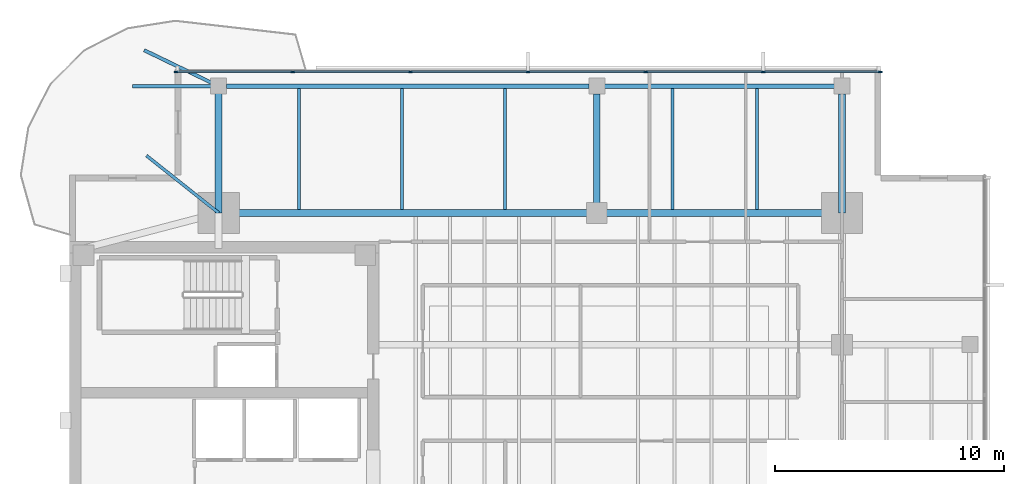
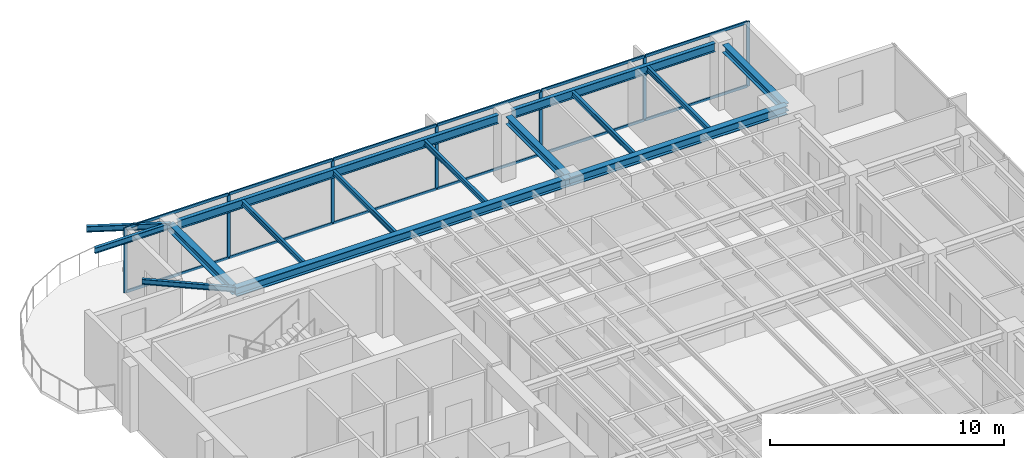
# One storey, part 5 of 14: 19 members, 15 beams, 1 element without a shape of its own.
"""IFC4 building model written with IfcOpenShell, lengths in metres."""

from ifc_helpers import new_model, si_unit, direction, frame, origin, origin_2d, place, context, subcontext, project, spatial, rectangle, i_section, extrude, material, layer, layer_set, material_profile, profile_set, type_object, element, aggregate, save


model = new_model("IFC4")

# Units and contexts
model_context = context("Model", 3, precision=1e-05, world=origin(), true_north=direction((0.0, 1.0)))
body_context = subcontext(model_context, "Body", "Model", "MODEL_VIEW")
ifc_project = project(units=[si_unit("LENGTHUNIT", "METRE"), si_unit("AREAUNIT", "SQUARE_METRE"), si_unit("VOLUMEUNIT", "CUBIC_METRE"), si_unit("PLANEANGLEUNIT", "RADIAN"), si_unit("MASSUNIT", "GRAM", prefix="KILO")], contexts=[model_context])

# Site, building, storey
site_placement = place(None, origin())
site = spatial("IfcSite", under=ifc_project, at=site_placement, CompositionType="ELEMENT")
building_placement = place(site_placement, origin())
building = spatial("IfcBuilding", under=site, at=building_placement, Name="Kinhvarn Gate Tower", CompositionType="ELEMENT")
storey_placement = place(building_placement, frame((0.0, 0.0, 284.75)))
storey = spatial("IfcBuildingStorey", under=building, at=storey_placement, Name="L76", CompositionType="ELEMENT", Elevation=284.75)

# Curtain wall, members
ifc_material_1 = material(Name="Anodised aluminium AW-6063", Category="aluminium")
ifc_layer = layer(ifc_material_1, 0.179931640625)
ifc_layer_set = layer_set([ifc_layer], Name="Anodised aluminium AW-6063")
curtain_wall_type = type_object("IfcCurtainWallType", Name="CW-SYS-3", PredefinedType="NOTDEFINED", material=ifc_layer_set)
curtain_wall_placement = place(storey_placement, origin())
curtain_wall = element("IfcCurtainWall", 1, at=curtain_wall_placement, inside=storey, type_object=curtain_wall_type, Name="Curtain Wall CW3 (L76)", PredefinedType="NOTDEFINED")
ifc_material_profile_1 = material_profile(ifc_material_1, rectangle(XDim=0.06494140625, YDim=0.159912109375, at=origin_2d()), Name="ALU 65x160")
ifc_profile_set_1 = profile_set([ifc_material_profile_1], Name="Anodised aluminium AW-6063")
member_type_1 = type_object("IfcMemberType", Name="CW-MUL-160", PredefinedType="MULLION", material=ifc_profile_set_1)
member_1_placement = place(storey_placement, frame((39.867431640625, 43.909912109375, 0.0), z_axis=(0.0, 0.0, 1.0), x_axis=(0.0, -1.0, 0.0)))
member_1 = element("IfcMember", 2, at=member_1_placement, type_object=member_type_1, Name="CW3 mullion 1", PredefinedType="MULLION", context=body_context, shape_type="SweptSolid", body=[
    extrude(rectangle(XDim=0.06494140625, YDim=0.159912109375, at=origin_2d()), origin(), (0.0, 0.0, 1.0), 3.389892578125),
])
member_2_placement = place(storey_placement, frame((34.7666015625, 43.909912109375, 0.0), z_axis=(0.0, 0.0, 1.0), x_axis=(0.0, -1.0, 0.0)))
member_2 = element("IfcMember", 3, at=member_2_placement, type_object=member_type_1, Name="CW3 mullion 2", PredefinedType="MULLION", context=body_context, shape_type="SweptSolid", body=[
    extrude(rectangle(XDim=0.06494140625, YDim=0.159912109375, at=origin_2d()), origin(), (0.0, 0.0, 1.0), 3.389892578125),
])
member_3_placement = place(storey_placement, frame((29.63330078125, 43.909912109375, 0.0), z_axis=(0.0, 0.0, 1.0), x_axis=(0.0, -1.0, 0.0)))
member_3 = element("IfcMember", 4, at=member_3_placement, type_object=member_type_1, Name="CW3 mullion 3", PredefinedType="MULLION", context=body_context, shape_type="SweptSolid", body=[
    extrude(rectangle(XDim=0.06494140625, YDim=0.159912109375, at=origin_2d()), origin(), (0.0, 0.0, 1.0), 3.389892578125),
])
member_4_placement = place(storey_placement, frame((24.5, 43.909912109375, 0.0), z_axis=(0.0, 0.0, 1.0), x_axis=(0.0, -1.0, 0.0)))
member_4 = element("IfcMember", 5, at=member_4_placement, type_object=member_type_1, Name="CW3 mullion 4", PredefinedType="MULLION", context=body_context, shape_type="SweptSolid", body=[
    extrude(rectangle(XDim=0.06494140625, YDim=0.159912109375, at=origin_2d()), origin(), (0.0, 0.0, 1.0), 3.389892578125),
])
member_5_placement = place(storey_placement, frame((19.36669921875, 43.909912109375, 0.0), z_axis=(0.0, 0.0, 1.0), x_axis=(0.0, -1.0, 0.0)))
member_5 = element("IfcMember", 6, at=member_5_placement, type_object=member_type_1, Name="CW3 mullion 5", PredefinedType="MULLION", context=body_context, shape_type="SweptSolid", body=[
    extrude(rectangle(XDim=0.06494140625, YDim=0.159912109375, at=origin_2d()), origin(), (0.0, 0.0, 1.0), 3.389892578125),
])
member_6_placement = place(storey_placement, frame((14.2333984375, 43.909912109375, 0.0), z_axis=(0.0, 0.0, 1.0), x_axis=(0.0, -1.0, 0.0)))
member_6 = element("IfcMember", 7, at=member_6_placement, type_object=member_type_1, Name="CW3 mullion 6", PredefinedType="MULLION", context=body_context, shape_type="SweptSolid", body=[
    extrude(rectangle(XDim=0.06494140625, YDim=0.159912109375, at=origin_2d()), origin(), (0.0, 0.0, 1.0), 3.389892578125),
])
member_7_placement = place(storey_placement, frame((9.132568359375, 43.909912109375, 0.0), z_axis=(0.0, 0.0, 1.0), x_axis=(0.0, -1.0, 0.0)))
member_7 = element("IfcMember", 8, at=member_7_placement, type_object=member_type_1, Name="CW3 mullion 7", PredefinedType="MULLION", context=body_context, shape_type="SweptSolid", body=[
    extrude(rectangle(XDim=0.06494140625, YDim=0.159912109375, at=origin_2d()), origin(), (0.0, 0.0, 1.0), 3.389892578125),
])
ifc_material_profile_2 = material_profile(ifc_material_1, rectangle(XDim=0.070068359375, YDim=0.139892578125, at=origin_2d()), Name="ALU 70x140")
ifc_profile_set_2 = profile_set([ifc_material_profile_2], Name="Anodised aluminium AW-6063")
member_type_2 = type_object("IfcMemberType", Name="CW-TRN-140", PredefinedType="USERDEFINED", material=ifc_profile_set_2)
member_8_placement = place(storey_placement, frame((39.8349609375, 43.909912109375, 0.034912109375), z_axis=(-1.0, 0.0, 0.0), x_axis=(0.0, -1.0, 0.0)))
member_8 = element("IfcMember", 9, at=member_8_placement, type_object=member_type_2, Name="CW3 transom 1.1", ObjectType="TRANSOM", PredefinedType="USERDEFINED", context=body_context, shape_type="SweptSolid", body=[
    extrude(rectangle(XDim=0.070068359375, YDim=0.139892578125, at=origin_2d()), origin(), (0.0, 0.0, 1.0), 5.035888671875),
])
member_9_placement = place(storey_placement, frame((39.8349609375, 43.909912109375, 3.35498046875), z_axis=(-1.0, 0.0, 0.0), x_axis=(0.0, -1.0, 0.0)))
member_9 = element("IfcMember", 10, at=member_9_placement, type_object=member_type_2, Name="CW3 transom 1.2", ObjectType="TRANSOM", PredefinedType="USERDEFINED", context=body_context, shape_type="SweptSolid", body=[
    extrude(rectangle(XDim=0.070068359375, YDim=0.139892578125, at=origin_2d()), origin(), (0.0, 0.0, 1.0), 5.035888671875),
])
member_10_placement = place(storey_placement, frame((34.734130859375, 43.909912109375, 0.034912109375), z_axis=(-1.0, 0.0, 0.0), x_axis=(0.0, -1.0, 0.0)))
member_10 = element("IfcMember", 11, at=member_10_placement, type_object=member_type_2, Name="CW3 transom 2.1", ObjectType="TRANSOM", PredefinedType="USERDEFINED", context=body_context, shape_type="SweptSolid", body=[
    extrude(rectangle(XDim=0.070068359375, YDim=0.139892578125, at=origin_2d()), origin(), (0.0, 0.0, 1.0), 5.068359375),
])
member_11_placement = place(storey_placement, frame((34.734130859375, 43.909912109375, 3.35498046875), z_axis=(-1.0, 0.0, 0.0), x_axis=(0.0, -1.0, 0.0)))
member_11 = element("IfcMember", 12, at=member_11_placement, type_object=member_type_2, Name="CW3 transom 2.2", ObjectType="TRANSOM", PredefinedType="USERDEFINED", context=body_context, shape_type="SweptSolid", body=[
    extrude(rectangle(XDim=0.070068359375, YDim=0.139892578125, at=origin_2d()), origin(), (0.0, 0.0, 1.0), 5.068359375),
])
member_12_placement = place(storey_placement, frame((29.600830078125, 43.909912109375, 0.034912109375), z_axis=(-1.0, 0.0, 0.0), x_axis=(0.0, -1.0, 0.0)))
member_12 = element("IfcMember", 13, at=member_12_placement, type_object=member_type_2, Name="CW3 transom 3.1", ObjectType="TRANSOM", PredefinedType="USERDEFINED", context=body_context, shape_type="SweptSolid", body=[
    extrude(rectangle(XDim=0.070068359375, YDim=0.139892578125, at=origin_2d()), origin(), (0.0, 0.0, 1.0), 5.068359375),
])
member_13_placement = place(storey_placement, frame((29.600830078125, 43.909912109375, 3.35498046875), z_axis=(-1.0, 0.0, 0.0), x_axis=(0.0, -1.0, 0.0)))
member_13 = element("IfcMember", 14, at=member_13_placement, type_object=member_type_2, Name="CW3 transom 3.2", ObjectType="TRANSOM", PredefinedType="USERDEFINED", context=body_context, shape_type="SweptSolid", body=[
    extrude(rectangle(XDim=0.070068359375, YDim=0.139892578125, at=origin_2d()), origin(), (0.0, 0.0, 1.0), 5.068359375),
])
member_14_placement = place(storey_placement, frame((24.467529296875, 43.909912109375, 0.034912109375), z_axis=(-1.0, 0.0, 0.0), x_axis=(0.0, -1.0, 0.0)))
member_14 = element("IfcMember", 15, at=member_14_placement, type_object=member_type_2, Name="CW3 transom 4.1", ObjectType="TRANSOM", PredefinedType="USERDEFINED", context=body_context, shape_type="SweptSolid", body=[
    extrude(rectangle(XDim=0.070068359375, YDim=0.139892578125, at=origin_2d()), origin(), (0.0, 0.0, 1.0), 5.068359375),
])
member_15_placement = place(storey_placement, frame((24.467529296875, 43.909912109375, 3.35498046875), z_axis=(-1.0, 0.0, 0.0), x_axis=(0.0, -1.0, 0.0)))
member_15 = element("IfcMember", 16, at=member_15_placement, type_object=member_type_2, Name="CW3 transom 4.2", ObjectType="TRANSOM", PredefinedType="USERDEFINED", context=body_context, shape_type="SweptSolid", body=[
    extrude(rectangle(XDim=0.070068359375, YDim=0.139892578125, at=origin_2d()), origin(), (0.0, 0.0, 1.0), 5.068359375),
])
member_16_placement = place(storey_placement, frame((19.334228515625, 43.909912109375, 0.034912109375), z_axis=(-1.0, 0.0, 0.0), x_axis=(0.0, -1.0, 0.0)))
member_16 = element("IfcMember", 17, at=member_16_placement, type_object=member_type_2, Name="CW3 transom 5.1", ObjectType="TRANSOM", PredefinedType="USERDEFINED", context=body_context, shape_type="SweptSolid", body=[
    extrude(rectangle(XDim=0.070068359375, YDim=0.139892578125, at=origin_2d()), origin(), (0.0, 0.0, 1.0), 5.068359375),
])
member_17_placement = place(storey_placement, frame((19.334228515625, 43.909912109375, 3.35498046875), z_axis=(-1.0, 0.0, 0.0), x_axis=(0.0, -1.0, 0.0)))
member_17 = element("IfcMember", 18, at=member_17_placement, type_object=member_type_2, Name="CW3 transom 5.2", ObjectType="TRANSOM", PredefinedType="USERDEFINED", context=body_context, shape_type="SweptSolid", body=[
    extrude(rectangle(XDim=0.070068359375, YDim=0.139892578125, at=origin_2d()), origin(), (0.0, 0.0, 1.0), 5.068359375),
])
member_18_placement = place(storey_placement, frame((14.200927734375, 43.909912109375, 0.034912109375), z_axis=(-1.0, 0.0, 0.0), x_axis=(0.0, -1.0, 0.0)))
member_18 = element("IfcMember", 19, at=member_18_placement, type_object=member_type_2, Name="CW3 transom 6.1", ObjectType="TRANSOM", PredefinedType="USERDEFINED", context=body_context, shape_type="SweptSolid", body=[
    extrude(rectangle(XDim=0.070068359375, YDim=0.139892578125, at=origin_2d()), origin(), (0.0, 0.0, 1.0), 5.035888671875),
])
member_19_placement = place(storey_placement, frame((14.200927734375, 43.909912109375, 3.35498046875), z_axis=(-1.0, 0.0, 0.0), x_axis=(0.0, -1.0, 0.0)))
member_19 = element("IfcMember", 20, at=member_19_placement, type_object=member_type_2, Name="CW3 transom 6.2", ObjectType="TRANSOM", PredefinedType="USERDEFINED", context=body_context, shape_type="SweptSolid", body=[
    extrude(rectangle(XDim=0.070068359375, YDim=0.139892578125, at=origin_2d()), origin(), (0.0, 0.0, 1.0), 5.035888671875),
])
aggregate(curtain_wall, [member_1, member_2, member_3, member_4, member_5, member_6, member_7, member_8, member_9, member_10, member_11, member_12, member_13, member_14, member_15, member_16, member_17, member_18, member_19])

# Beams
ifc_material_2 = material(Name="Steel S355", Category="steel")
ifc_material_profile_3 = material_profile(ifc_material_2, i_section(OverallWidth=0.300048828125, OverallDepth=0.39990234375, WebThickness=0.013427734375, FlangeThickness=0.02392578125, at=origin_2d()), Name="HEB 400")
ifc_profile_set_3 = profile_set([ifc_material_profile_3], Name="Steel S355")
beam_type_1 = type_object("IfcBeamType", Name="STL-HEB400", PredefinedType="BEAM", material=ifc_profile_set_3)
beam_1_placement = place(storey_placement, frame((11.0, 37.75, 3.18994140625), z_axis=(0.0, 1.0, 0.0), x_axis=(-1.0, 0.0, 0.0)))
element("IfcBeam", 21, at=beam_1_placement, inside=storey, type_object=beam_type_1, Name="Floor Beam PG-12 (L76 MCW-N)", PredefinedType="BEAM", context=body_context, shape_type="SweptSolid", body=[
    extrude(i_section(OverallWidth=0.300048828125, OverallDepth=0.39990234375, WebThickness=0.013427734375, FlangeThickness=0.02392578125, at=origin_2d()), origin(), (0.0, 0.0, 1.0), 5.530029296875),
])
for number, where, z_axis, x_axis, name in (
    (22, (27.5, 37.75, 3.18994140625), (0.0, 1.0, 0.0), (-1.0, 0.0, 0.0), "Floor Beam PG-12 (L76 SP27-N-TIE)"),
    (23, (38.199951171875, 37.75, 3.18994140625), (0.0, 1.0, 0.0), (-1.0, 0.0, 0.0), "Floor Beam PG-12 (L76 MCE-N)"),
):
    element("IfcBeam", number, at=place(storey_placement, frame(where, z_axis=z_axis, x_axis=x_axis)), inside=storey, type_object=beam_type_1, Name=name, PredefinedType="BEAM", context=body_context, shape_type="SweptSolid", body=[
        extrude(i_section(OverallWidth=0.300048828125, OverallDepth=0.39990234375, WebThickness=0.013427734375, FlangeThickness=0.02392578125, at=origin_2d()), origin(), (0.0, 0.0, 1.0), 5.195068359375),
    ])
ifc_material_profile_4 = material_profile(ifc_material_2, i_section(OverallWidth=0.300048828125, OverallDepth=0.449951171875, WebThickness=0.013916015625, FlangeThickness=0.02587890625, at=origin_2d()), Name="HEB 450")
ifc_profile_set_4 = profile_set([ifc_material_profile_4], Name="Steel S355")
beam_type_2 = type_object("IfcBeamType", Name="STL-HEB450", PredefinedType="BEAM", material=ifc_profile_set_4)
beam_2_placement = place(storey_placement, frame((11.0, 37.75, 3.1650390625), z_axis=(1.0, 0.0, 0.0), x_axis=(0.0, 1.0, 0.0)))
element("IfcBeam", 24, at=beam_2_placement, inside=storey, type_object=beam_type_2, Name="Floor Beam PG-13 (L76 MG-N1)", PredefinedType="BEAM", context=body_context, shape_type="SweptSolid", body=[
    extrude(i_section(OverallWidth=0.300048828125, OverallDepth=0.449951171875, WebThickness=0.013916015625, FlangeThickness=0.02587890625, at=origin_2d()), origin(), (0.0, 0.0, 1.0), 16.5),
])
beam_3_placement = place(storey_placement, frame((27.5, 37.75, 3.1650390625), z_axis=(1.0, 0.0, 0.0), x_axis=(0.0, 1.0, 0.0)))
element("IfcBeam", 25, at=beam_3_placement, inside=storey, type_object=beam_type_2, Name="Floor Beam PG-13 (L76 MG-N2)", PredefinedType="BEAM", context=body_context, shape_type="SweptSolid", body=[
    extrude(i_section(OverallWidth=0.300048828125, OverallDepth=0.449951171875, WebThickness=0.013916015625, FlangeThickness=0.02587890625, at=origin_2d()), origin(), (0.0, 0.0, 1.0), 10.699951171875),
])
ifc_material_profile_5 = material_profile(ifc_material_2, i_section(OverallWidth=0.135009765625, OverallDepth=0.27001953125, WebThickness=0.006591796875, FlangeThickness=0.01025390625, at=origin_2d()), Name="IPE 270")
ifc_profile_set_5 = profile_set([ifc_material_profile_5], Name="Steel S355")
beam_type_3 = type_object("IfcBeamType", Name="STL-IPE270", PredefinedType="JOIST", material=ifc_profile_set_5)
for number, where, z_axis, x_axis, name in (
    (26, (14.5, 37.89990234375, 3.2548828125), (0.0, 1.0, 0.0), (-1.0, 0.0, 0.0), "Floor Joist SB-01 (L76 JN-X145)"),
    (27, (19.0, 37.89990234375, 3.2548828125), (0.0, 1.0, 0.0), (-1.0, 0.0, 0.0), "Floor Joist SB-01 (L76 JN-X190)"),
    (28, (23.5, 37.89990234375, 3.2548828125), (0.0, 1.0, 0.0), (-1.0, 0.0, 0.0), "Floor Joist SB-01 (L76 JN-X235)"),
    (29, (30.800048828125, 37.89990234375, 3.2548828125), (0.0, 1.0, 0.0), (-1.0, 0.0, 0.0), "Floor Joist SB-01 (L76 JN-X308)"),
    (30, (34.5, 37.89990234375, 3.2548828125), (0.0, 1.0, 0.0), (-1.0, 0.0, 0.0), "Floor Joist SB-01 (L76 JN-X345)"),
):
    element("IfcBeam", number, at=place(storey_placement, frame(where, z_axis=z_axis, x_axis=x_axis)), inside=storey, type_object=beam_type_3, Name=name, PredefinedType="JOIST", context=body_context, shape_type="SweptSolid", body=[
        extrude(i_section(OverallWidth=0.135009765625, OverallDepth=0.27001953125, WebThickness=0.006591796875, FlangeThickness=0.01025390625, at=origin_2d()), origin(), (0.0, 0.0, 1.0), 5.28515625),
    ])
beam_4_placement = place(storey_placement, frame((11.0, 37.75, 3.2548828125), z_axis=(-0.783279518214, 0.621669684275, 0.0), x_axis=(-0.621669684275, -0.783279518214, 0.0)))
element("IfcBeam", 31, at=beam_4_placement, inside=storey, type_object=beam_type_3, Name="Floor Joist SB-01 (L76 BAL-B3-L77)", PredefinedType="JOIST", context=body_context, shape_type="SweptSolid", body=[
    extrude(i_section(OverallWidth=0.135009765625, OverallDepth=0.27001953125, WebThickness=0.006591796875, FlangeThickness=0.01025390625, at=origin_2d()), origin(), (0.0, 0.0, 1.0), 4.021484375),
])
ifc_material_profile_6 = material_profile(ifc_material_2, i_section(OverallWidth=0.14990234375, OverallDepth=0.300048828125, WebThickness=0.007080078125, FlangeThickness=0.0107421875, at=origin_2d()), Name="IPE 300")
ifc_profile_set_6 = profile_set([ifc_material_profile_6], Name="Steel S355")
beam_type_4 = type_object("IfcBeamType", Name="STL-IPE300", PredefinedType="JOIST", material=ifc_profile_set_6)
beam_5_placement = place(storey_placement, frame((11.0, 43.280029296875, 3.239990234375), z_axis=(-1.0, 0.0, 0.0), x_axis=(0.0, -1.0, 0.0)))
element("IfcBeam", 32, at=beam_5_placement, inside=storey, type_object=beam_type_4, Name="Floor Joist SB-02 (L76 BAL-B1-L77)", PredefinedType="JOIST", context=body_context, shape_type="SweptSolid", body=[
    extrude(i_section(OverallWidth=0.14990234375, OverallDepth=0.300048828125, WebThickness=0.007080078125, FlangeThickness=0.0107421875, at=origin_2d()), origin(), (0.0, 0.0, 1.0), 3.75),
])
beam_6_placement = place(storey_placement, frame((11.0, 43.280029296875, 3.239990234375), z_axis=(-0.900431975558, 0.434996847567, 0.0), x_axis=(-0.434996847567, -0.900431975558, 0.0)))
element("IfcBeam", 33, at=beam_6_placement, inside=storey, type_object=beam_type_4, Name="Floor Joist SB-02 (L76 BAL-B2-L77)", PredefinedType="JOIST", context=body_context, shape_type="SweptSolid", body=[
    extrude(i_section(OverallWidth=0.14990234375, OverallDepth=0.300048828125, WebThickness=0.007080078125, FlangeThickness=0.0107421875, at=origin_2d()), origin(), (0.0, 0.0, 1.0), 3.609375),
])
ifc_material_profile_7 = material_profile(ifc_material_2, i_section(OverallWidth=0.18994140625, OverallDepth=0.449951171875, WebThickness=0.009521484375, FlangeThickness=0.0146484375, at=origin_2d()), Name="IPE 450")
ifc_profile_set_7 = profile_set([ifc_material_profile_7], Name="Steel S355")
beam_type_5 = type_object("IfcBeamType", Name="STL-IPE450", PredefinedType="JOIST", material=ifc_profile_set_7)
beam_7_placement = place(storey_placement, frame((11.3349609375, 43.280029296875, 3.1650390625), z_axis=(1.0, 0.0, 0.0), x_axis=(0.0, 1.0, 0.0)))
element("IfcBeam", 34, at=beam_7_placement, inside=storey, type_object=beam_type_5, Name="Floor Joist SB-06 (L76 SP-N1)", PredefinedType="JOIST", context=body_context, shape_type="SweptSolid", body=[
    extrude(i_section(OverallWidth=0.18994140625, OverallDepth=0.449951171875, WebThickness=0.009521484375, FlangeThickness=0.0146484375, at=origin_2d()), origin(), (0.0, 0.0, 1.0), 15.830078125),
])
beam_8_placement = place(storey_placement, frame((27.8349609375, 43.280029296875, 3.1650390625), z_axis=(1.0, 0.0, 0.0), x_axis=(0.0, 1.0, 0.0)))
element("IfcBeam", 35, at=beam_8_placement, inside=storey, type_object=beam_type_5, Name="Floor Joist SB-06 (L76 SP-N2)", PredefinedType="JOIST", context=body_context, shape_type="SweptSolid", body=[
    extrude(i_section(OverallWidth=0.18994140625, OverallDepth=0.449951171875, WebThickness=0.009521484375, FlangeThickness=0.0146484375, at=origin_2d()), origin(), (0.0, 0.0, 1.0), 10.030029296875),
])

save(model, "model.ifc")
